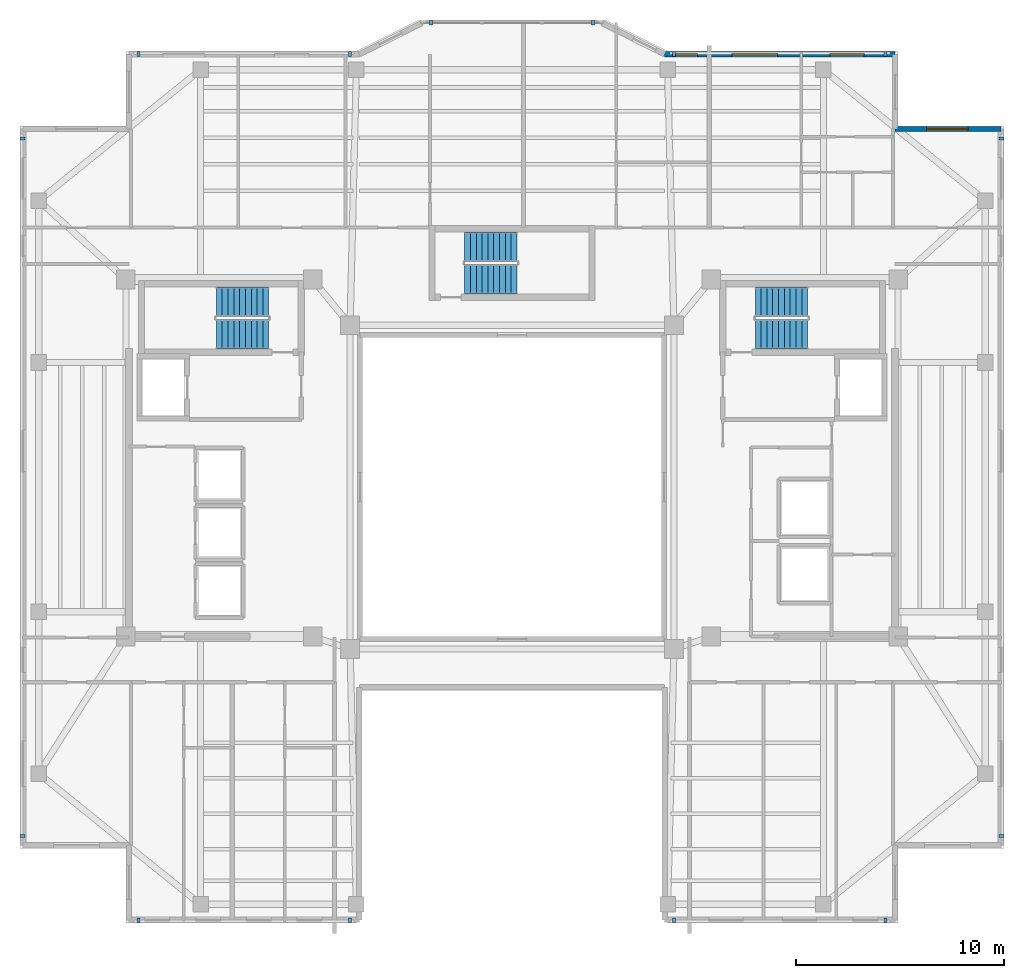
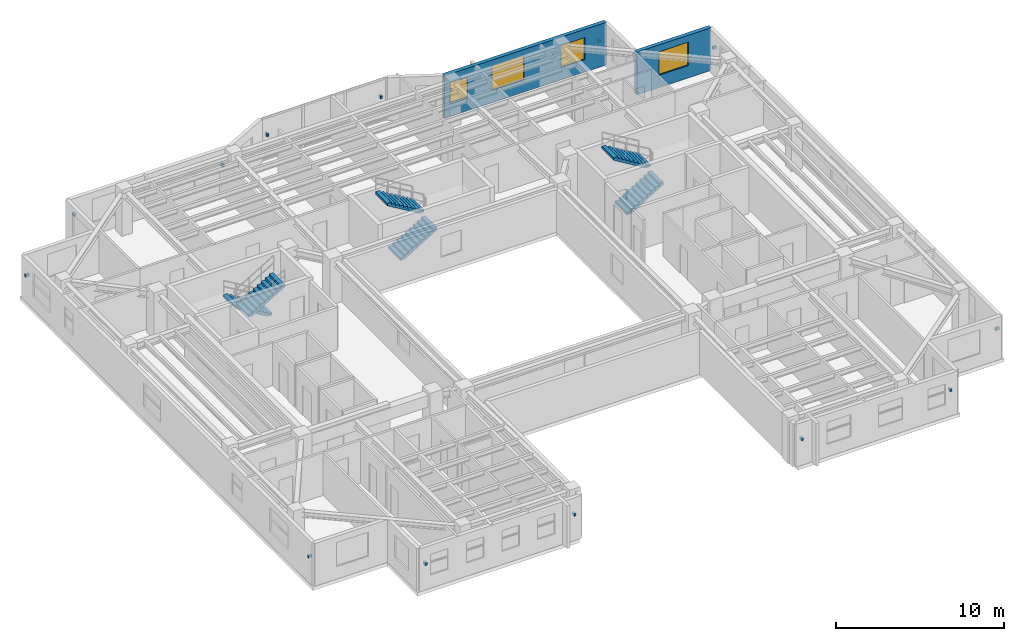
# One storey, part 8 of 11: 14 discrete accessories, 6 stair flights, 4 windows, 2 walls, 4 openings, 3 elements without a shape of their own.
"""IFC4 building model written with IfcOpenShell, lengths in metres."""

from ifc_helpers import new_model, si_unit, direction, frame, frame_2d, origin, origin_2d, place, context, subcontext, project, spatial, polyline, rectangle, outline, extrude, material, layer, layer_set, type_object, element, fill, aggregate, save


model = new_model("IFC4")

# Units and contexts
model_context = context("Model", 3, precision=1e-05, world=origin(), true_north=direction((0.0, 1.0)))
body_context = subcontext(model_context, "Body", "Model", "MODEL_VIEW")
ifc_project = project(units=[si_unit("LENGTHUNIT", "METRE"), si_unit("AREAUNIT", "SQUARE_METRE"), si_unit("VOLUMEUNIT", "CUBIC_METRE"), si_unit("PLANEANGLEUNIT", "RADIAN"), si_unit("MASSUNIT", "GRAM", prefix="KILO")], contexts=[model_context])

# Site, building, storey
site_placement = place(None, origin())
site = spatial("IfcSite", under=ifc_project, at=site_placement, CompositionType="ELEMENT")
building_placement = place(site_placement, origin())
building = spatial("IfcBuilding", under=site, at=building_placement, Name="Tarnavaz Court Tower", CompositionType="ELEMENT")
storey_placement = place(building_placement, frame((0.0, 0.0, 217.050048828125)))
storey = spatial("IfcBuildingStorey", under=building, at=storey_placement, Name="L59", CompositionType="ELEMENT", Elevation=217.050048828125)

# Wall, openings, windows
ifc_material_1 = material(Name="Precast Concrete C40/50", Category="concrete")
ifc_layer = layer(ifc_material_1, 0.260009765625)
ifc_layer_set = layer_set([ifc_layer], Name="Precast Concrete C40/50")
wall_type = type_object("IfcWallType", Name="WL-EXT-260", PredefinedType="SOLIDWALL", material=ifc_layer_set)
wall_1_placement = place(storey_placement, frame((7.35009765625, 20.85009765625, 0.0), z_axis=(0.0, 0.0, 1.0), x_axis=(1.0, 0.0, 0.0)))
wall_1 = element("IfcWall", 1, at=wall_1_placement, inside=storey, type_object=wall_type, Name="L59 Exterior Terracotta Facade Wall 09", PredefinedType="SOLIDWALL", context=body_context, shape_type="SweptSolid", body=[
    extrude(rectangle(XDim=11.099853515625, YDim=0.260009765625, at=frame_2d((5.5498046875, 0.0))), origin(), (0.0, 0.0, 1.0), 3.099853515625),
])
opening_1_placement = place(wall_1_placement, frame((0.375, 0.0, 0.949951171875)))
opening_1 = element("IfcOpeningElement", 2, at=opening_1_placement, cuts=wall_1, Name="Opening W05", PredefinedType="OPENING", context=body_context, shape_type="SweptSolid", body=[
    extrude(rectangle(XDim=1.199951171875, YDim=1.5, at=frame_2d((0.60009765625, 0.75))), frame((0.0, 0.139892578125, 0.0), z_axis=(0.0, -1.0, 0.0), x_axis=(1.0, 0.0, 0.0)), (0.0, 0.0, 1.0), 0.280029296875),
])
opening_2_placement = place(wall_1_placement, frame((3.24462890625, 0.0, 0.89990234375)))
opening_2 = element("IfcOpeningElement", 3, at=opening_2_placement, cuts=wall_1, Name="Opening W07", PredefinedType="OPENING", context=body_context, shape_type="SweptSolid", body=[
    extrude(rectangle(XDim=2.199951171875, YDim=1.75, at=frame_2d((1.10009765625, 0.875))), frame((0.0, 0.139892578125, 0.0), z_axis=(0.0, -1.0, 0.0), x_axis=(1.0, 0.0, 0.0)), (0.0, 0.0, 1.0), 0.280029296875),
])
opening_3_placement = place(wall_1_placement, frame((7.964599609375, 0.0, 0.89990234375)))
opening_3 = element("IfcOpeningElement", 4, at=opening_3_placement, cuts=wall_1, Name="Opening W02", PredefinedType="OPENING", context=body_context, shape_type="SweptSolid", body=[
    extrude(rectangle(XDim=1.64990234375, YDim=1.60009765625, at=frame_2d((0.824951171875, 0.800048828125))), frame((0.0, 0.139892578125, 0.0), z_axis=(0.0, -1.0, 0.0), x_axis=(1.0, 0.0, 0.0)), (0.0, 0.0, 1.0), 0.280029296875),
])
ifc_material_2 = material(Name="Double-Glazed Solar Low-E Glass", Category="glass")
window_type_1 = type_object("IfcWindowType", Name="WN-APT-1200", PartitioningType="SINGLE_PANEL", PredefinedType="WINDOW", material=ifc_material_2)
window_1_placement = place(opening_1_placement, origin())
window_1 = element("IfcWindow", 5, at=window_1_placement, inside=storey, type_object=window_type_1, Name="L59 Flat 01 Kitchen Window", OverallHeight=1.5, OverallWidth=1.199951171875, PartitioningType="SINGLE_PANEL", PredefinedType="WINDOW", context=body_context, shape_type="SweptSolid", body=[
    extrude(rectangle(XDim=1.199951171875, YDim=1.5, at=frame_2d((0.60009765625, 0.75))), frame((0.0, 0.030029296875, 0.0), z_axis=(0.0, -1.0, 0.0), x_axis=(1.0, 0.0, 0.0)), (0.0, 0.0, 1.0), 0.06005859375),
])
fill(opening_1, window_1)
window_type_2 = type_object("IfcWindowType", Name="WN-APT-1650", PartitioningType="DOUBLE_PANEL_VERTICAL", PredefinedType="WINDOW", material=ifc_material_2)
window_2_placement = place(opening_3_placement, origin())
window_2 = element("IfcWindow", 6, at=window_2_placement, inside=storey, type_object=window_type_2, Name="L59 Flat 02 Bedroom 1 Window", OverallHeight=1.60009765625, OverallWidth=1.64990234375, PartitioningType="SINGLE_PANEL", PredefinedType="WINDOW", context=body_context, shape_type="SweptSolid", body=[
    extrude(rectangle(XDim=1.64990234375, YDim=1.60009765625, at=frame_2d((0.824951171875, 0.800048828125))), frame((0.0, 0.030029296875, 0.0), z_axis=(0.0, -1.0, 0.0), x_axis=(1.0, 0.0, 0.0)), (0.0, 0.0, 1.0), 0.06005859375),
])
fill(opening_3, window_2)
window_type_3 = type_object("IfcWindowType", Name="WN-APT-2200", PartitioningType="TRIPLE_PANEL_VERTICAL", PredefinedType="WINDOW", material=ifc_material_2)
window_3_placement = place(opening_2_placement, origin())
window_3 = element("IfcWindow", 7, at=window_3_placement, inside=storey, type_object=window_type_3, Name="L59 Flat 02 Living and Dining Room Window", OverallHeight=1.75, OverallWidth=2.199951171875, PartitioningType="SINGLE_PANEL", PredefinedType="WINDOW", context=body_context, shape_type="SweptSolid", body=[
    extrude(rectangle(XDim=2.199951171875, YDim=1.75, at=frame_2d((1.10009765625, 0.875))), frame((0.0, 0.030029296875, 0.0), z_axis=(0.0, -1.0, 0.0), x_axis=(1.0, 0.0, 0.0)), (0.0, 0.0, 1.0), 0.06005859375),
])
fill(opening_2, window_3)

# Wall, opening, window
wall_2_placement = place(storey_placement, frame((18.449951171875, 17.25, 0.0), z_axis=(0.0, 0.0, 1.0), x_axis=(1.0, 0.0, 0.0)))
wall_2 = element("IfcWall", 8, at=wall_2_placement, inside=storey, type_object=wall_type, Name="L59 Exterior Terracotta Facade Wall 11", PredefinedType="SOLIDWALL", context=body_context, shape_type="SweptSolid", body=[
    extrude(rectangle(XDim=5.10009765625, YDim=0.260009765625, at=frame_2d((2.550048828125, 0.0))), origin(), (0.0, 0.0, 1.0), 3.099853515625),
])
opening_4_placement = place(wall_2_placement, frame((1.52490234375, 0.0, 0.89990234375)))
opening_4 = element("IfcOpeningElement", 9, at=opening_4_placement, cuts=wall_2, Name="Opening W08", PredefinedType="OPENING", context=body_context, shape_type="SweptSolid", body=[
    extrude(rectangle(XDim=2.0, YDim=1.699951171875, at=frame_2d((1.0, 0.85009765625))), frame((0.0, 0.139892578125, 0.0), z_axis=(0.0, -1.0, 0.0), x_axis=(1.0, 0.0, 0.0)), (0.0, 0.0, 1.0), 0.280029296875),
])
window_type_4 = type_object("IfcWindowType", Name="WN-APT-2000", PartitioningType="DOUBLE_PANEL_VERTICAL", PredefinedType="WINDOW", material=ifc_material_2)
window_4_placement = place(opening_4_placement, origin())
window_4 = element("IfcWindow", 10, at=window_4_placement, inside=storey, type_object=window_type_4, Name="L59 North-East Corner Sunroom Study Window", OverallHeight=1.699951171875, OverallWidth=2.0, PartitioningType="SINGLE_PANEL", PredefinedType="WINDOW", context=body_context, shape_type="SweptSolid", body=[
    extrude(rectangle(XDim=2.0, YDim=1.699951171875, at=frame_2d((1.0, 0.85009765625))), frame((0.0, 0.030029296875, 0.0), z_axis=(0.0, -1.0, 0.0), x_axis=(1.0, 0.0, 0.0)), (0.0, 0.0, 1.0), 0.06005859375),
])
fill(opening_4, window_4)

# Stair, stair flights
ifc_material_3 = material(Name="Concrete C40/50", Category="concrete")
stair_type = type_object("IfcStairType", Name="ST-TWR-20R", PredefinedType="HALF_TURN_STAIR", material=ifc_material_3)
stair_1_placement = place(storey_placement, origin())
stair_1 = element("IfcStair", 11, at=stair_1_placement, inside=storey, type_object=stair_type, Name="L59 West Core Pressurized Exit Stair ST-W1", PredefinedType="HALF_TURN_STAIR")
stair_flight_type = type_object("IfcStairFlightType", Name="SFL-RC-20R", PredefinedType="STRAIGHT", material=ifc_material_3)
stair_flight_1_placement = place(storey_placement, frame((-11.719970703125, 8.929931640625, 0.0), z_axis=(0.0, 0.0, 1.0), x_axis=(-1.0, 0.0, 0.0)))
stair_flight_1 = element("IfcStairFlight", 12, at=stair_flight_1_placement, type_object=stair_flight_type, Name="ST-W1 flight 1", NumberOfRisers=10, NumberOfTreads=9, PredefinedType="STRAIGHT", RiserHeight=0.1675, TreadLength=0.28, context=body_context, shape_type="SweptSolid", body=[
    extrude(outline(polyline([(0.0, 0.0), (0.0, 0.16748046875), (0.280029296875, 0.16748046875), (0.280029296875, 0.3349609375), (0.56005859375, 0.3349609375), (0.56005859375, 0.50244140625), (0.840087890625, 0.50244140625), (0.840087890625, 0.669921875), (1.1201171875, 0.669921875), (1.1201171875, 0.83740234375), (1.39990234375, 0.83740234375), (1.39990234375, 1.0048828125), (1.679931640625, 1.0048828125), (1.679931640625, 1.172607421875), (1.9599609375, 1.172607421875), (1.9599609375, 1.340087890625), (2.239990234375, 1.340087890625), (2.239990234375, 1.507568359375), (2.52001953125, 1.507568359375), (2.52001953125, 1.675048828125), (2.52001953125, 1.332763671875), (0.2919921875, 0.0), (0.0, 0.0)])), frame((0.0, 0.7099609375, 0.0), z_axis=(0.0, -1.0, 0.0), x_axis=(1.0, 0.0, 0.0)), (0.0, 0.0, 1.0), 1.419921875),
])
stair_flight_2_placement = place(storey_placement, frame((-14.239990234375, 7.360107421875, 1.675048828125), z_axis=(0.0, 0.0, 1.0), x_axis=(1.0, 0.0, 0.0)))
stair_flight_2 = element("IfcStairFlight", 13, at=stair_flight_2_placement, type_object=stair_flight_type, Name="ST-W1 flight 2", NumberOfRisers=10, NumberOfTreads=9, PredefinedType="STRAIGHT", RiserHeight=0.1675, TreadLength=0.28, context=body_context, shape_type="SweptSolid", body=[
    extrude(outline(polyline([(0.0, 0.0), (0.0, 0.16748046875), (0.280029296875, 0.16748046875), (0.280029296875, 0.3349609375), (0.56005859375, 0.3349609375), (0.56005859375, 0.50244140625), (0.840087890625, 0.50244140625), (0.840087890625, 0.669921875), (1.1201171875, 0.669921875), (1.1201171875, 0.83740234375), (1.39990234375, 0.83740234375), (1.39990234375, 1.0048828125), (1.679931640625, 1.0048828125), (1.679931640625, 1.172607421875), (1.9599609375, 1.172607421875), (1.9599609375, 1.340087890625), (2.239990234375, 1.340087890625), (2.239990234375, 1.507568359375), (2.52001953125, 1.507568359375), (2.52001953125, 1.675048828125), (2.52001953125, 1.332763671875), (0.2919921875, 0.0), (0.0, 0.0)])), frame((0.0, 0.7099609375, 0.0), z_axis=(0.0, -1.0, 0.0), x_axis=(1.0, 0.0, 0.0)), (0.0, 0.0, 1.0), 1.419921875),
])
aggregate(stair_1, [stair_flight_1, stair_flight_2])

stair_2_placement = place(storey_placement, origin())
stair_2 = element("IfcStair", 14, at=stair_2_placement, inside=storey, type_object=stair_type, Name="L59 East Core Pressurized Exit Stair ST-E1", PredefinedType="HALF_TURN_STAIR")
stair_flight_3_placement = place(storey_placement, frame((11.719970703125, 7.360107421875, 0.0), z_axis=(0.0, 0.0, 1.0), x_axis=(1.0, 0.0, 0.0)))
stair_flight_3 = element("IfcStairFlight", 15, at=stair_flight_3_placement, type_object=stair_flight_type, Name="ST-E1 flight 1", NumberOfRisers=10, NumberOfTreads=9, PredefinedType="STRAIGHT", RiserHeight=0.1675, TreadLength=0.28, context=body_context, shape_type="SweptSolid", body=[
    extrude(outline(polyline([(0.0, 0.0), (0.0, 0.16748046875), (0.280029296875, 0.16748046875), (0.280029296875, 0.3349609375), (0.56005859375, 0.3349609375), (0.56005859375, 0.50244140625), (0.840087890625, 0.50244140625), (0.840087890625, 0.669921875), (1.1201171875, 0.669921875), (1.1201171875, 0.83740234375), (1.39990234375, 0.83740234375), (1.39990234375, 1.0048828125), (1.679931640625, 1.0048828125), (1.679931640625, 1.172607421875), (1.9599609375, 1.172607421875), (1.9599609375, 1.340087890625), (2.239990234375, 1.340087890625), (2.239990234375, 1.507568359375), (2.52001953125, 1.507568359375), (2.52001953125, 1.675048828125), (2.52001953125, 1.332763671875), (0.2919921875, 0.0), (0.0, 0.0)])), frame((0.0, 0.7099609375, 0.0), z_axis=(0.0, -1.0, 0.0), x_axis=(1.0, 0.0, 0.0)), (0.0, 0.0, 1.0), 1.419921875),
])
stair_flight_4_placement = place(storey_placement, frame((14.239990234375, 8.929931640625, 1.675048828125), z_axis=(0.0, 0.0, 1.0), x_axis=(-1.0, 0.0, 0.0)))
stair_flight_4 = element("IfcStairFlight", 16, at=stair_flight_4_placement, type_object=stair_flight_type, Name="ST-E1 flight 2", NumberOfRisers=10, NumberOfTreads=9, PredefinedType="STRAIGHT", RiserHeight=0.1675, TreadLength=0.28, context=body_context, shape_type="SweptSolid", body=[
    extrude(outline(polyline([(0.0, 0.0), (0.0, 0.16748046875), (0.280029296875, 0.16748046875), (0.280029296875, 0.3349609375), (0.56005859375, 0.3349609375), (0.56005859375, 0.50244140625), (0.840087890625, 0.50244140625), (0.840087890625, 0.669921875), (1.1201171875, 0.669921875), (1.1201171875, 0.83740234375), (1.39990234375, 0.83740234375), (1.39990234375, 1.0048828125), (1.679931640625, 1.0048828125), (1.679931640625, 1.172607421875), (1.9599609375, 1.172607421875), (1.9599609375, 1.340087890625), (2.239990234375, 1.340087890625), (2.239990234375, 1.507568359375), (2.52001953125, 1.507568359375), (2.52001953125, 1.675048828125), (2.52001953125, 1.332763671875), (0.2919921875, 0.0), (0.0, 0.0)])), frame((0.0, 0.7099609375, 0.0), z_axis=(0.0, -1.0, 0.0), x_axis=(1.0, 0.0, 0.0)), (0.0, 0.0, 1.0), 1.419921875),
])
aggregate(stair_2, [stair_flight_3, stair_flight_4])

stair_3_placement = place(storey_placement, origin())
stair_3 = element("IfcStair", 17, at=stair_3_placement, inside=storey, type_object=stair_type, Name="L59 North Ring Pressurized Exit Stair ST-N1", PredefinedType="HALF_TURN_STAIR")
stair_flight_5_placement = place(storey_placement, frame((-2.280029296875, 10.010009765625, 0.0), z_axis=(0.0, 0.0, 1.0), x_axis=(1.0, 0.0, 0.0)))
stair_flight_5 = element("IfcStairFlight", 18, at=stair_flight_5_placement, type_object=stair_flight_type, Name="ST-N1 flight 1", NumberOfRisers=10, NumberOfTreads=9, PredefinedType="STRAIGHT", RiserHeight=0.1675, TreadLength=0.28, context=body_context, shape_type="SweptSolid", body=[
    extrude(outline(polyline([(0.0, 0.0), (0.0, 0.16748046875), (0.280029296875, 0.16748046875), (0.280029296875, 0.3349609375), (0.56005859375, 0.3349609375), (0.56005859375, 0.50244140625), (0.840087890625, 0.50244140625), (0.840087890625, 0.669921875), (1.1201171875, 0.669921875), (1.1201171875, 0.83740234375), (1.39990234375, 0.83740234375), (1.39990234375, 1.0048828125), (1.679931640625, 1.0048828125), (1.679931640625, 1.172607421875), (1.9599609375, 1.172607421875), (1.9599609375, 1.340087890625), (2.239990234375, 1.340087890625), (2.239990234375, 1.507568359375), (2.52001953125, 1.507568359375), (2.52001953125, 1.675048828125), (2.52001953125, 1.332763671875), (0.2919921875, 0.0), (0.0, 0.0)])), frame((0.0, 0.7099609375, 0.0), z_axis=(0.0, -1.0, 0.0), x_axis=(1.0, 0.0, 0.0)), (0.0, 0.0, 1.0), 1.419921875),
])
stair_flight_6_placement = place(storey_placement, frame((0.239990234375, 11.580078125, 1.675048828125), z_axis=(0.0, 0.0, 1.0), x_axis=(-1.0, 0.0, 0.0)))
stair_flight_6 = element("IfcStairFlight", 19, at=stair_flight_6_placement, type_object=stair_flight_type, Name="ST-N1 flight 2", NumberOfRisers=10, NumberOfTreads=9, PredefinedType="STRAIGHT", RiserHeight=0.1675, TreadLength=0.28, context=body_context, shape_type="SweptSolid", body=[
    extrude(outline(polyline([(0.0, 0.0), (0.0, 0.16748046875), (0.280029296875, 0.16748046875), (0.280029296875, 0.3349609375), (0.56005859375, 0.3349609375), (0.56005859375, 0.50244140625), (0.840087890625, 0.50244140625), (0.840087890625, 0.669921875), (1.1201171875, 0.669921875), (1.1201171875, 0.83740234375), (1.39990234375, 0.83740234375), (1.39990234375, 1.0048828125), (1.679931640625, 1.0048828125), (1.679931640625, 1.172607421875), (1.9599609375, 1.172607421875), (1.9599609375, 1.340087890625), (2.239990234375, 1.340087890625), (2.239990234375, 1.507568359375), (2.52001953125, 1.507568359375), (2.52001953125, 1.675048828125), (2.52001953125, 1.332763671875), (0.2919921875, 0.0), (0.0, 0.0)])), frame((0.0, 0.7099609375, 0.0), z_axis=(0.0, -1.0, 0.0), x_axis=(1.0, 0.0, 0.0)), (0.0, 0.0, 1.0), 1.419921875),
])
aggregate(stair_3, [stair_flight_5, stair_flight_6])

# Discrete accessories
ifc_material_4 = material(Name="Anodised Aluminium 6063-T6", Category="aluminium")
discrete_accessory_type = type_object("IfcDiscreteAccessoryType", Name="DA-BRKT-ALU", PredefinedType="BRACKET", material=ifc_material_4)
for number, where, z_axis, x_axis, name in (
    (20, (-23.570068359375, -16.800048828125, 1.75), (0.0, 0.0, 1.0), (0.0, 1.0, 0.0), "L59 Baguette Outrigger Bracket FBG02-1"),
    (21, (-23.570068359375, 16.800048828125, 1.75), (0.0, 0.0, 1.0), (0.0, 1.0, 0.0), "L59 Baguette Outrigger Bracket FBG02-2"),
    (22, (-18.0, 20.8701171875, 1.75), (0.0, 0.0, 1.0), (1.0, 0.0, 0.0), "L59 Baguette Outrigger Bracket FBG05-1"),
    (23, (-7.800048828125, 20.8701171875, 1.75), (0.0, 0.0, 1.0), (1.0, 0.0, 0.0), "L59 Baguette Outrigger Bracket FBG05-2"),
    (24, (-3.89990234375, 22.3701171875, 1.7001953125), (0.0, 0.0, 1.0), (1.0, 0.0, 0.0), "L59 Baguette Outrigger Bracket PBG7-1"),
    (25, (3.89990234375, 22.3701171875, 1.7001953125), (0.0, 0.0, 1.0), (1.0, 0.0, 0.0), "L59 Baguette Outrigger Bracket PBG7-2"),
    (26, (7.800048828125, 20.8701171875, 1.75), (0.0, 0.0, 1.0), (1.0, 0.0, 0.0), "L59 Baguette Outrigger Bracket FBG09-1"),
    (27, (18.0, 20.8701171875, 1.75), (0.0, 0.0, 1.0), (1.0, 0.0, 0.0), "L59 Baguette Outrigger Bracket FBG09-2"),
    (28, (23.570068359375, 16.800048828125, 1.75), (0.0, 0.0, 1.0), (0.0, -1.0, 0.0), "L59 Baguette Outrigger Bracket FBG12-1"),
    (29, (23.570068359375, -16.800048828125, 1.75), (0.0, 0.0, 1.0), (0.0, -1.0, 0.0), "L59 Baguette Outrigger Bracket FBG12-2"),
    (30, (18.0, -20.8701171875, 1.75), (0.0, 0.0, 1.0), (-1.0, 0.0, 0.0), "L59 Baguette Outrigger Bracket FBG15-1"),
    (31, (7.800048828125, -20.8701171875, 1.75), (0.0, 0.0, 1.0), (-1.0, 0.0, 0.0), "L59 Baguette Outrigger Bracket FBG15-2"),
    (32, (-7.800048828125, -20.8701171875, 1.75), (0.0, 0.0, 1.0), (-1.0, 0.0, 0.0), "L59 Baguette Outrigger Bracket FBG19-1"),
    (33, (-18.0, -20.8701171875, 1.75), (0.0, 0.0, 1.0), (-1.0, 0.0, 0.0), "L59 Baguette Outrigger Bracket FBG19-2"),
):
    element("IfcDiscreteAccessory", number, at=place(storey_placement, frame(where, z_axis=z_axis, x_axis=x_axis)), inside=storey, type_object=discrete_accessory_type, Name=name, PredefinedType="BRACKET", context=body_context, shape_type="SweptSolid", body=[
        extrude(rectangle(XDim=0.139892578125, YDim=0.239990234375, at=origin_2d()), origin(), (0.0, 0.0, 1.0), 0.199951171875),
    ])

save(model, "model.ifc")
